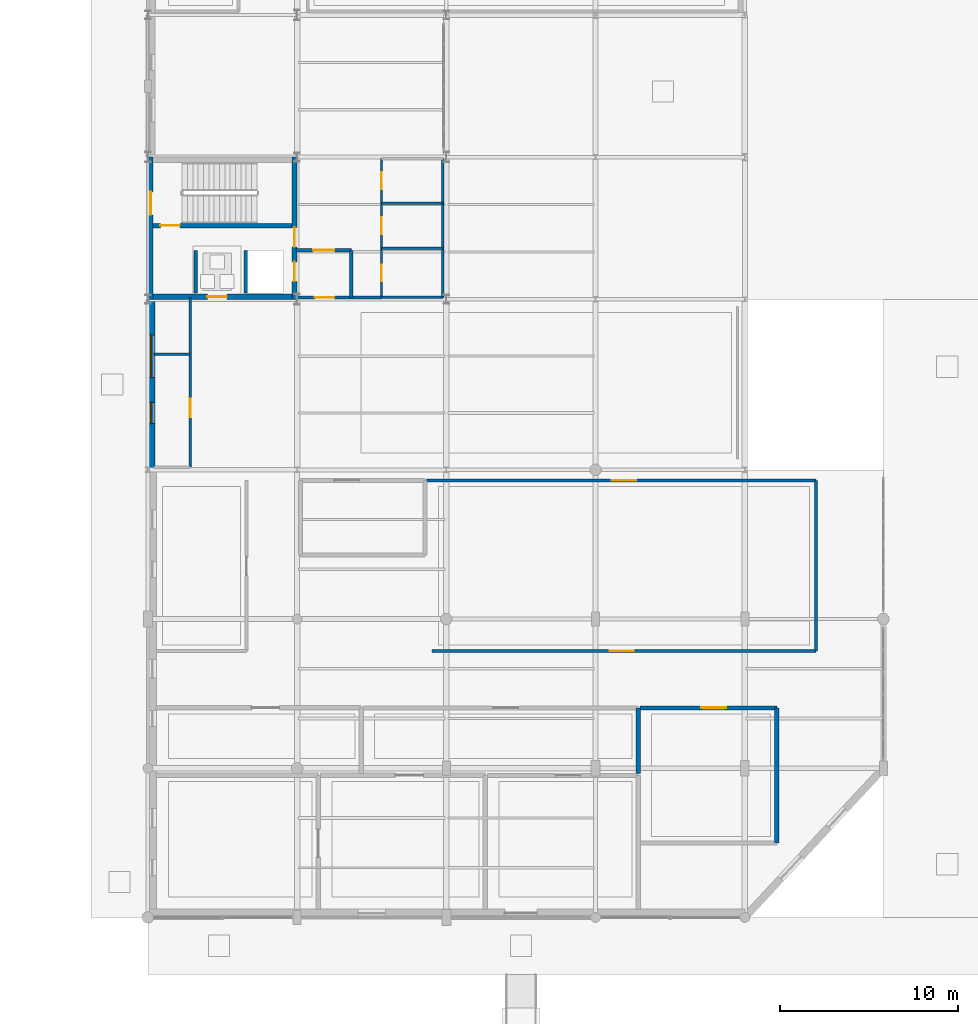
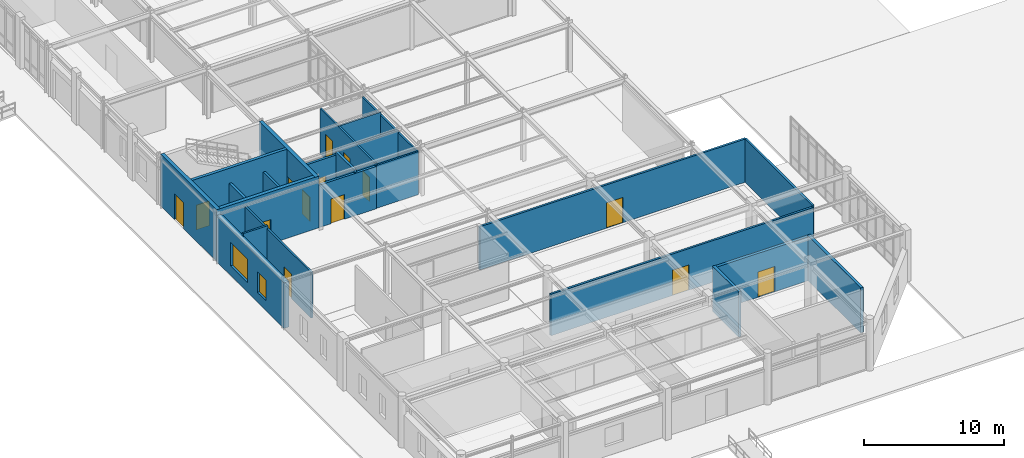
# One storey, part 79 of 101: 23 walls, 14 doors, 2 windows, 16 openings.
"""IFC4 building model written with IfcOpenShell, lengths in metres."""

from ifc_helpers import new_model, si_unit, derived_unit, direction, frame, frame_2d, origin, place, context, subcontext, project, spatial, rectangle, extrude, material, layer, layer_set, type_object, element, fill, save


model = new_model("IFC4")

# Units and contexts
model_context = context("Model", 3, precision=1e-05, world=origin(), true_north=direction((0.0, 1.0)))
body_context = subcontext(model_context, "Body", "Model", "MODEL_VIEW")
ifc_project = project(units=[si_unit("LENGTHUNIT", "METRE"), si_unit("AREAUNIT", "SQUARE_METRE"), si_unit("VOLUMEUNIT", "CUBIC_METRE"), si_unit("PLANEANGLEUNIT", "RADIAN"), si_unit("MASSUNIT", "GRAM", prefix="KILO"), derived_unit("THERMALTRANSMITTANCEUNIT", [(si_unit("POWERUNIT", "WATT"), 1), (si_unit("AREAUNIT", "SQUARE_METRE"), -1), (si_unit("THERMODYNAMICTEMPERATUREUNIT", "KELVIN"), -1)])], contexts=[model_context])

# Site, building, storey
site_placement = place(None, origin())
site = spatial("IfcSite", under=ifc_project, at=site_placement, CompositionType="ELEMENT")
building_placement = place(site_placement, origin())
building = spatial("IfcBuilding", under=site, at=building_placement, Name="Yasenodar Specialist Clinic", CompositionType="ELEMENT")
storey_placement = place(building_placement, origin())
storey = spatial("IfcBuildingStorey", under=building, at=storey_placement, Name="L00", CompositionType="ELEMENT", Elevation=0.0)

# Wall, openings, windows
ifc_material_1 = material(Name="Kapustianske Red Granite Ashlar Rainscreen", Category="masonry")
ifc_layer_1 = layer(ifc_material_1, 0.419921875)
ifc_layer_set_1 = layer_set([ifc_layer_1], Name="Kapustianske Red Granite Ashlar Rainscreen")
wall_type_1 = type_object("IfcWallType", Name="EW-GRAN-420", PredefinedType="SOLIDWALL", material=ifc_layer_set_1)
wall_1_placement = place(storey_placement, frame((0.199951171875, 25.199951171875, 0.0), z_axis=(0.0, 0.0, 1.0), x_axis=(0.0, 1.0, 0.0)))
wall_1 = element("IfcWall", 1, at=wall_1_placement, inside=storey, type_object=wall_type_1, Name="L00 Exterior Facade Wall 0080", PredefinedType="SOLIDWALL", context=body_context, shape_type="SweptSolid", body=[
    extrude(rectangle(XDim=9.60009765625, YDim=0.419921875, at=frame_2d((4.800048828125, 0.0))), origin(), (0.0, 0.0, 1.0), 3.97802734375),
])
opening_1_placement = place(wall_1_placement, frame((2.60009765625, 0.0, 0.85009765625)))
opening_1 = element("IfcOpeningElement", 2, at=opening_1_placement, cuts=wall_1, Name="Opening W-01", PredefinedType="OPENING", context=body_context, shape_type="SweptSolid", body=[
    extrude(rectangle(XDim=1.199951171875, YDim=1.800048828125, at=frame_2d((0.60009765625, 0.89990234375))), frame((0.0, 0.219970703125, 0.0), z_axis=(0.0, -1.0, 0.0), x_axis=(1.0, 0.0, 0.0)), (0.0, 0.0, 1.0), 0.43994140625),
])
opening_2_placement = place(wall_1_placement, frame((5.199951171875, 0.0, 0.85009765625)))
opening_2 = element("IfcOpeningElement", 3, at=opening_2_placement, cuts=wall_1, Name="Opening W-08", PredefinedType="OPENING", context=body_context, shape_type="SweptSolid", body=[
    extrude(rectangle(XDim=2.39990234375, YDim=2.050048828125, at=frame_2d((1.199951171875, 1.02490234375))), frame((0.0, 0.219970703125, 0.0), z_axis=(0.0, -1.0, 0.0), x_axis=(1.0, 0.0, 0.0)), (0.0, 0.0, 1.0), 0.43994140625),
])
ifc_material_2 = material(Name="Triple Low-E Argon Glazing in Bronze Aluminium Frame", Category="aluminium")
window_type_1 = type_object("IfcWindowType", Name="WIN-EXT-01", PartitioningType="SINGLE_PANEL", PredefinedType="WINDOW", material=ifc_material_2)
window_1_placement = place(opening_1_placement, origin())
window_1 = element("IfcWindow", 4, at=window_1_placement, inside=storey, type_object=window_type_1, Name="L00 Triple-Glazed Reveal Window 0066", OverallHeight=1.800048828125, OverallWidth=1.199951171875, PartitioningType="SINGLE_PANEL", PredefinedType="WINDOW", context=body_context, shape_type="SweptSolid", body=[
    extrude(rectangle(XDim=1.199951171875, YDim=1.800048828125, at=frame_2d((0.60009765625, 0.89990234375))), frame((0.0, 0.030029296875, 0.0), z_axis=(0.0, -1.0, 0.0), x_axis=(1.0, 0.0, 0.0)), (0.0, 0.0, 1.0), 0.06005859375),
])
fill(opening_1, window_1)
window_type_2 = type_object("IfcWindowType", Name="WIN-EXT-08", PartitioningType="SINGLE_PANEL", PredefinedType="WINDOW", material=ifc_material_2)
window_2_placement = place(opening_2_placement, origin())
window_2 = element("IfcWindow", 5, at=window_2_placement, inside=storey, type_object=window_type_2, Name="L00 Triple-Glazed Reveal Window 0067", OverallHeight=2.050048828125, OverallWidth=2.39990234375, PartitioningType="SINGLE_PANEL", PredefinedType="WINDOW", context=body_context, shape_type="SweptSolid", body=[
    extrude(rectangle(XDim=2.39990234375, YDim=2.050048828125, at=frame_2d((1.199951171875, 1.02490234375))), frame((0.0, 0.030029296875, 0.0), z_axis=(0.0, -1.0, 0.0), x_axis=(1.0, 0.0, 0.0)), (0.0, 0.0, 1.0), 0.06005859375),
])
fill(opening_2, window_2)

# Wall, opening, door
ifc_material_3 = material(Name="Outpatient Examination Partition")
ifc_layer_2 = layer(ifc_material_3, 0.14990234375)
ifc_layer_set_2 = layer_set([ifc_layer_2], Name="Outpatient Examination Partition")
wall_type_2 = type_object("IfcWallType", Name="IW-CONS-150", PredefinedType="PARTITIONING", material=ifc_layer_set_2)
wall_2_placement = place(storey_placement, frame((2.3798828125, 25.35009765625, 0.0), z_axis=(0.0, 0.0, 1.0), x_axis=(0.0, 1.0, 0.0)))
wall_2 = element("IfcWall", 6, at=wall_2_placement, inside=storey, type_object=wall_type_2, Name="L00 Phlebotomy Suite East Partition", PredefinedType="PARTITIONING", context=body_context, shape_type="SweptSolid", body=[
    extrude(rectangle(XDim=9.5498046875, YDim=0.14990234375, at=frame_2d((4.77490234375, 0.0))), origin(), (0.0, 0.0, 1.0), 3.97802734375),
])
opening_3_placement = place(wall_2_placement, frame((2.800048828125, 0.0, 0.0)))
opening_3 = element("IfcOpeningElement", 7, at=opening_3_placement, cuts=wall_2, Name="Opening D-12", PredefinedType="OPENING", context=body_context, shape_type="SweptSolid", body=[
    extrude(rectangle(XDim=1.050048828125, YDim=2.14990234375, at=frame_2d((0.52490234375, 1.074951171875))), frame((0.0, 0.0849609375, 0.0), z_axis=(0.0, -1.0, 0.0), x_axis=(1.0, 0.0, 0.0)), (0.0, 0.0, 1.0), 0.169921875),
])
ifc_material_4 = material(Name="Powder-Coated Steel and Acoustic Laminate Leaf", Category="steel")
door_type_1 = type_object("IfcDoorType", Name="DR-CLIN-105", OperationType="NOTDEFINED", PredefinedType="DOOR", material=ifc_material_4)
door_1_placement = place(opening_3_placement, origin())
door_1 = element("IfcDoor", 8, at=door_1_placement, inside=storey, type_object=door_type_1, Name="L00 Phlebotomy and Specimen Collection Suite Door", OperationType="SINGLE_SWING_RIGHT", OverallHeight=2.14990234375, OverallWidth=1.050048828125, PredefinedType="DOOR", context=body_context, shape_type="SweptSolid", body=[
    extrude(rectangle(XDim=1.050048828125, YDim=2.14990234375, at=frame_2d((0.52490234375, 1.074951171875))), frame((0.0, 0.02490234375, 0.0), z_axis=(0.0, -1.0, 0.0), x_axis=(1.0, 0.0, 0.0)), (0.0, 0.0, 1.0), 0.050048828125),
])
fill(opening_3, door_1)

# Wall
wall_3_placement = place(storey_placement, frame((0.35009765625, 31.699951171875, 0.0), z_axis=(0.0, 0.0, 1.0), x_axis=(1.0, 0.0, 0.0)))
element("IfcWall", 9, at=wall_3_placement, inside=storey, type_object=wall_type_2, Name="L00 Phlebotomy Suite North Partition", PredefinedType="PARTITIONING", context=body_context, shape_type="SweptSolid", body=[
    extrude(rectangle(XDim=2.02978515625, YDim=0.14990234375, at=frame_2d((1.014892578125, 0.0))), origin(), (0.0, 0.0, 1.0), 4.22998046875),
])

# Wall, opening, door
ifc_material_5 = material(Name="Cleanroom Laboratory Partition")
ifc_layer_3 = layer(ifc_material_5, 0.169921875)
ifc_layer_set_3 = layer_set([ifc_layer_3], Name="Cleanroom Laboratory Partition")
wall_type_3 = type_object("IfcWallType", Name="IW-LAB-170", PredefinedType="PARTITIONING", material=ifc_layer_set_3)
wall_4_placement = place(storey_placement, frame((37.60009765625, 15.0, 0.0), z_axis=(0.0, 0.0, 1.0), x_axis=(-1.0, 0.0, 0.0)))
wall_4 = element("IfcWall", 10, at=wall_4_placement, inside=storey, type_object=wall_type_3, Name="L00 Radiology Patient Reception and Sub-Waiting Partition", PredefinedType="PARTITIONING", context=body_context, shape_type="SweptSolid", body=[
    extrude(rectangle(XDim=21.60009765625, YDim=0.169921875, at=frame_2d((10.800048828125, 0.0))), origin(), (0.0, 0.0, 1.0), 3.613037109375),
])
opening_4_placement = place(wall_4_placement, frame((10.25, 0.0, 0.0)))
opening_4 = element("IfcOpeningElement", 11, at=opening_4_placement, cuts=wall_4, Name="Opening D-11", PredefinedType="OPENING", context=body_context, shape_type="SweptSolid", body=[
    extrude(rectangle(XDim=1.360107421875, YDim=2.199951171875, at=frame_2d((0.68017578125, 1.10009765625))), frame((0.0, 0.094970703125, 0.0), z_axis=(0.0, -1.0, 0.0), x_axis=(1.0, 0.0, 0.0)), (0.0, 0.0, 1.0), 0.18994140625),
])
door_type_2 = type_object("IfcDoorType", Name="DR-PLT-136", OperationType="NOTDEFINED", PredefinedType="DOOR", material=ifc_material_4)
door_2_placement = place(opening_4_placement, origin())
door_2 = element("IfcDoor", 12, at=door_2_placement, inside=storey, type_object=door_type_2, Name="L00 Radiology Patient Reception and Sub-Waiting Door", OperationType="SINGLE_SWING_RIGHT", OverallHeight=2.199951171875, OverallWidth=1.360107421875, PredefinedType="DOOR", context=body_context, shape_type="SweptSolid", body=[
    extrude(rectangle(XDim=1.360107421875, YDim=2.199951171875, at=frame_2d((0.68017578125, 1.10009765625))), frame((0.0, 0.02490234375, 0.0), z_axis=(0.0, -1.0, 0.0), x_axis=(1.0, 0.0, 0.0)), (0.0, 0.0, 1.0), 0.050048828125),
])
fill(opening_4, door_2)

wall_5_placement = place(storey_placement, frame((15.695068359375, 24.60009765625, 0.0), z_axis=(0.0, 0.0, 1.0), x_axis=(1.0, 0.0, 0.0)))
wall_5 = element("IfcWall", 13, at=wall_5_placement, inside=storey, type_object=wall_type_3, Name="L00 Radiology Patient Reception and Sub-Waiting Partition", PredefinedType="PARTITIONING", context=body_context, shape_type="SweptSolid", body=[
    extrude(rectangle(XDim=21.905029296875, YDim=0.169921875, at=frame_2d((10.95263671875, 0.0))), origin(), (0.0, 0.0, 1.0), 3.762939453125),
])
opening_5_placement = place(wall_5_placement, frame((10.425048828125, 0.0, 0.0)))
opening_5 = element("IfcOpeningElement", 14, at=opening_5_placement, cuts=wall_5, Name="Opening D-11", PredefinedType="OPENING", context=body_context, shape_type="SweptSolid", body=[
    extrude(rectangle(XDim=1.360107421875, YDim=2.199951171875, at=frame_2d((0.68017578125, 1.10009765625))), frame((0.0, 0.094970703125, 0.0), z_axis=(0.0, -1.0, 0.0), x_axis=(1.0, 0.0, 0.0)), (0.0, 0.0, 1.0), 0.18994140625),
])
door_3_placement = place(opening_5_placement, origin())
door_3 = element("IfcDoor", 15, at=door_3_placement, inside=storey, type_object=door_type_2, Name="L00 Primary Care Outpatient Consulting Suite Door", OperationType="SINGLE_SWING_LEFT", OverallHeight=2.199951171875, OverallWidth=1.360107421875, PredefinedType="DOOR", context=body_context, shape_type="SweptSolid", body=[
    extrude(rectangle(XDim=1.360107421875, YDim=2.199951171875, at=frame_2d((0.68017578125, 1.10009765625))), frame((0.0, 0.02490234375, 0.0), z_axis=(0.0, -1.0, 0.0), x_axis=(1.0, 0.0, 0.0)), (0.0, 0.0, 1.0), 0.050048828125),
])
fill(opening_5, door_3)

# Wall
wall_6_placement = place(storey_placement, frame((37.60009765625, 24.60009765625, 0.0), z_axis=(0.0, 0.0, 1.0), x_axis=(0.0, -1.0, 0.0)))
element("IfcWall", 16, at=wall_6_placement, inside=storey, type_object=wall_type_3, Name="L00 Radiology Patient Reception and Sub-Waiting Partition", PredefinedType="PARTITIONING", context=body_context, shape_type="SweptSolid", body=[
    extrude(rectangle(XDim=9.60009765625, YDim=0.169921875, at=frame_2d((4.800048828125, 0.0))), origin(), (0.0, 0.0, 1.0), 3.762939453125),
])

# Wall, opening, door
ifc_material_6 = material(Name="Shielded CT Control Partition")
ifc_layer_4 = layer(ifc_material_6, 0.22998046875)
ifc_layer_set_4 = layer_set([ifc_layer_4], Name="Shielded CT Control Partition")
wall_type_4 = type_object("IfcWallType", Name="IW-LEAD-230", PredefinedType="PARTITIONING", material=ifc_layer_set_4)
wall_7_placement = place(storey_placement, frame((27.695068359375, 11.800048828125, 0.0), z_axis=(0.0, 0.0, 1.0), x_axis=(1.0, 0.0, 0.0)))
wall_7 = element("IfcWall", 17, at=wall_7_placement, inside=storey, type_object=wall_type_4, Name="L00 CT Scanner Suite 02 Partition", PredefinedType="PARTITIONING", context=body_context, shape_type="SweptSolid", body=[
    extrude(rectangle(XDim=7.704833984375, YDim=0.22998046875, at=frame_2d((3.8525390625, 0.0))), origin(), (0.0, 0.0, 1.0), 3.81298828125),
])
opening_6_placement = place(wall_7_placement, frame((3.455078125, 0.0, 0.0)))
opening_6 = element("IfcOpeningElement", 18, at=opening_6_placement, cuts=wall_7, Name="Opening XD-01", PredefinedType="OPENING", context=body_context, shape_type="SweptSolid", body=[
    extrude(rectangle(XDim=1.39990234375, YDim=2.199951171875, at=frame_2d((0.699951171875, 1.10009765625))), frame((0.0, 0.125, 0.0), z_axis=(0.0, -1.0, 0.0), x_axis=(1.0, 0.0, 0.0)), (0.0, 0.0, 1.0), 0.25),
])
ifc_material_7 = material(Name="Fire-Rated Insulated Steel Door", Category="steel")
door_type_3 = type_object("IfcDoorType", Name="DR-LEAD-140", OperationType="NOTDEFINED", PredefinedType="DOOR", material=ifc_material_7)
door_4_placement = place(opening_6_placement, origin())
door_4 = element("IfcDoor", 19, at=door_4_placement, inside=storey, type_object=door_type_3, Name="L00 CT Scanner Suite 02 Door", OperationType="SINGLE_SWING_RIGHT", OverallHeight=2.199951171875, OverallWidth=1.39990234375, PredefinedType="DOOR", context=body_context, shape_type="SweptSolid", body=[
    extrude(rectangle(XDim=1.39990234375, YDim=2.199951171875, at=frame_2d((0.699951171875, 1.10009765625))), frame((0.0, 0.02490234375, 0.0), z_axis=(0.0, -1.0, 0.0), x_axis=(1.0, 0.0, 0.0)), (0.0, 0.0, 1.0), 0.050048828125),
])
fill(opening_6, door_4)

# Walls
wall_8_placement = place(storey_placement, frame((35.39990234375, 11.800048828125, 0.0), z_axis=(0.0, 0.0, 1.0), x_axis=(0.0, -1.0, 0.0)))
element("IfcWall", 20, at=wall_8_placement, inside=storey, type_object=wall_type_4, Name="L00 CT Scanner Suite 02 Partition", PredefinedType="PARTITIONING", context=body_context, shape_type="SweptSolid", body=[
    extrude(rectangle(XDim=7.60009765625, YDim=0.22998046875, at=frame_2d((3.800048828125, 0.0))), origin(), (0.0, 0.0, 1.0), 3.9130859375),
])
wall_9_placement = place(storey_placement, frame((27.60009765625, 11.800048828125, 0.0), z_axis=(0.0, 0.0, 1.0), x_axis=(0.0, -1.0, 0.0)))
element("IfcWall", 21, at=wall_9_placement, inside=storey, type_object=wall_type_4, Name="L00 CT Control and Patient Changing Room Partition", PredefinedType="PARTITIONING", context=body_context, shape_type="SweptSolid", body=[
    extrude(rectangle(XDim=3.705078125, YDim=0.22998046875, at=frame_2d((1.8525390625, 0.0))), origin(), (0.0, 0.0, 1.0), 3.943115234375),
])

# Wall, opening, door
ifc_material_8 = material(Name="Fire-Rated Gypsum and Mineral-Wool Wall")
ifc_layer_5 = layer(ifc_material_8, 0.195068359375)
ifc_layer_set_5 = layer_set([ifc_layer_5], Name="Fire-Rated Gypsum and Mineral-Wool Wall")
wall_type_5 = type_object("IfcWallType", Name="IW-LOBBY-195", PredefinedType="PARTITIONING", material=ifc_layer_set_5)
wall_10_placement = place(storey_placement, frame((8.35009765625, 37.550048828125, 0.0), z_axis=(0.0, 0.0, 1.0), x_axis=(1.0, 0.0, 0.0)))
wall_10 = element("IfcWall", 22, at=wall_10_placement, inside=storey, type_object=wall_type_5, Name="L00 C1 Passenger Lift Lobby North Wall", PredefinedType="PARTITIONING", context=body_context, shape_type="SweptSolid", body=[
    extrude(rectangle(XDim=3.099853515625, YDim=0.195068359375, at=frame_2d((1.5498046875, 0.0))), origin(), (0.0, 0.0, 1.0), 3.677978515625),
])
opening_7_placement = place(wall_10_placement, frame((0.949951171875, 0.0, 0.0)))
opening_7 = element("IfcOpeningElement", 23, at=opening_7_placement, cuts=wall_10, Name="Opening FD-02", PredefinedType="OPENING", context=body_context, shape_type="SweptSolid", body=[
    extrude(rectangle(XDim=1.199951171875, YDim=2.14990234375, at=frame_2d((0.60009765625, 1.074951171875))), frame((0.0, 0.107421875, 0.0), z_axis=(0.0, -1.0, 0.0), x_axis=(1.0, 0.0, 0.0)), (0.0, 0.0, 1.0), 0.215087890625),
])
door_type_4 = type_object("IfcDoorType", Name="DR-FD-120", OperationType="NOTDEFINED", PredefinedType="DOOR", material=ifc_material_7)
door_5_placement = place(opening_7_placement, origin())
door_5 = element("IfcDoor", 24, at=door_5_placement, inside=storey, type_object=door_type_4, Name="L00 C1 Passenger Lift Lobby Door", OperationType="SINGLE_SWING_RIGHT", OverallHeight=2.14990234375, OverallWidth=1.199951171875, PredefinedType="DOOR", context=body_context, shape_type="SweptSolid", body=[
    extrude(rectangle(XDim=1.199951171875, YDim=2.14990234375, at=frame_2d((0.60009765625, 1.074951171875))), frame((0.0, 0.02490234375, 0.0), z_axis=(0.0, -1.0, 0.0), x_axis=(1.0, 0.0, 0.0)), (0.0, 0.0, 1.0), 0.050048828125),
])
fill(opening_7, door_5)

# Wall
wall_11_placement = place(storey_placement, frame((11.449951171875, 34.89990234375, 0.0), z_axis=(0.0, 0.0, 1.0), x_axis=(0.0, 1.0, 0.0)))
element("IfcWall", 25, at=wall_11_placement, inside=storey, type_object=wall_type_5, Name="L00 C1 Passenger Lift Lobby East Wall", PredefinedType="PARTITIONING", context=body_context, shape_type="SweptSolid", body=[
    extrude(rectangle(XDim=2.650146484375, YDim=0.195068359375, at=frame_2d((1.3251953125, 0.0))), origin(), (0.0, 0.0, 1.0), 3.927978515625),
])

# Wall, opening, door
wall_12_placement = place(storey_placement, frame((8.35009765625, 34.89990234375, 0.0), z_axis=(0.0, 0.0, 1.0), x_axis=(1.0, 0.0, 0.0)))
wall_12 = element("IfcWall", 26, at=wall_12_placement, inside=storey, type_object=wall_type_5, Name="L00 C1 Passenger Lift Lobby South Wall", PredefinedType="PARTITIONING", context=body_context, shape_type="SweptSolid", body=[
    extrude(rectangle(XDim=4.7998046875, YDim=0.195068359375, at=frame_2d((2.39990234375, 0.0))), origin(), (0.0, 0.0, 1.0), 3.677978515625),
])
opening_8_placement = place(wall_12_placement, frame((1.050048828125, 0.0, 0.0)))
opening_8 = element("IfcOpeningElement", 27, at=opening_8_placement, cuts=wall_12, Name="Opening FD-01", PredefinedType="OPENING", context=body_context, shape_type="SweptSolid", body=[
    extrude(rectangle(XDim=1.10009765625, YDim=2.14990234375, at=frame_2d((0.550048828125, 1.074951171875))), frame((0.0, 0.107421875, 0.0), z_axis=(0.0, -1.0, 0.0), x_axis=(1.0, 0.0, 0.0)), (0.0, 0.0, 1.0), 0.215087890625),
])
door_type_5 = type_object("IfcDoorType", Name="DR-FD-110", OperationType="NOTDEFINED", PredefinedType="DOOR", material=ifc_material_7)
door_6_placement = place(opening_8_placement, origin())
door_6 = element("IfcDoor", 28, at=door_6_placement, inside=storey, type_object=door_type_5, Name="L00 C1 South Spine Door", OperationType="SINGLE_SWING_LEFT", OverallHeight=2.14990234375, OverallWidth=1.10009765625, PredefinedType="DOOR", context=body_context, shape_type="SweptSolid", body=[
    extrude(rectangle(XDim=1.10009765625, YDim=2.14990234375, at=frame_2d((0.550048828125, 1.074951171875))), frame((0.0, 0.02490234375, 0.0), z_axis=(0.0, -1.0, 0.0), x_axis=(1.0, 0.0, 0.0)), (0.0, 0.0, 1.0), 0.050048828125),
])
fill(opening_8, door_6)

# Walls
ifc_material_9 = material(Name="Aerated Concrete Blockwork Fire Shaft Wall", Category="masonry")
ifc_layer_6 = layer(ifc_material_9, 0.205078125)
ifc_layer_set_6 = layer_set([ifc_layer_6], Name="Aerated Concrete Blockwork Fire Shaft Wall")
wall_type_6 = type_object("IfcWallType", Name="IW-SHAFT-205", PredefinedType="PARTITIONING", material=ifc_layer_set_6)
for number, where, z_axis, x_axis, name in (
    (29, (5.5, 35.14990234375, 0.0), (0.0, 0.0, 1.0), (0.0, 1.0, 0.0), "L00 LF-01 Lift Shaft Side Wall"),
    (30, (2.699951171875, 35.14990234375, 0.0), (0.0, 0.0, 1.0), (0.0, 1.0, 0.0), "L00 LF-05 Lift Shaft Side Wall"),
):
    element("IfcWall", number, at=place(storey_placement, frame(where, z_axis=z_axis, x_axis=x_axis)), inside=storey, type_object=wall_type_6, Name=name, PredefinedType="PARTITIONING", context=body_context, shape_type="SweptSolid", body=[
        extrude(rectangle(XDim=2.400146484375, YDim=0.205078125, at=frame_2d((1.2001953125, 0.0))), origin(), (0.0, 0.0, 1.0), 4.22998046875),
    ])

# Wall, openings, doors
ifc_material_10 = material(Name="Moisture-Resistant Sanitary Partition")
ifc_layer_7 = layer(ifc_material_10, 0.139892578125)
ifc_layer_set_7 = layer_set([ifc_layer_7], Name="Moisture-Resistant Sanitary Partition")
wall_type_7 = type_object("IfcWallType", Name="IW-WET-140", PredefinedType="PARTITIONING", material=ifc_layer_set_7)
wall_13_placement = place(storey_placement, frame((13.14990234375, 34.89990234375, 0.0), z_axis=(0.0, 0.0, 1.0), x_axis=(0.0, 1.0, 0.0)))
wall_13 = element("IfcWall", 31, at=wall_13_placement, inside=storey, type_object=wall_type_7, Name="L00 West Sanitary Block Corridor Wall", PredefinedType="PARTITIONING", context=body_context, shape_type="SweptSolid", body=[
    extrude(rectangle(XDim=7.820068359375, YDim=0.139892578125, at=frame_2d((3.91015625, 0.0))), origin(), (0.0, 0.0, 1.0), 3.927978515625),
])
opening_9_placement = place(wall_13_placement, frame((0.89990234375, 0.0, 0.0)))
opening_9 = element("IfcOpeningElement", 32, at=opening_9_placement, cuts=wall_13, Name="Opening D-01", PredefinedType="OPENING", context=body_context, shape_type="SweptSolid", body=[
    extrude(rectangle(XDim=0.949951171875, YDim=2.1201171875, at=frame_2d((0.47509765625, 1.06005859375))), frame((0.0, 0.080078125, 0.0), z_axis=(0.0, -1.0, 0.0), x_axis=(1.0, 0.0, 0.0)), (0.0, 0.0, 1.0), 0.159912109375),
])
opening_10_placement = place(wall_13_placement, frame((3.550048828125, 0.0, 0.0)))
opening_10 = element("IfcOpeningElement", 33, at=opening_10_placement, cuts=wall_13, Name="Opening D-02", PredefinedType="OPENING", context=body_context, shape_type="SweptSolid", body=[
    extrude(rectangle(XDim=0.97998046875, YDim=2.139892578125, at=frame_2d((0.489990234375, 1.06982421875))), frame((0.0, 0.080078125, 0.0), z_axis=(0.0, -1.0, 0.0), x_axis=(1.0, 0.0, 0.0)), (0.0, 0.0, 1.0), 0.159912109375),
])
opening_11_placement = place(wall_13_placement, frame((6.080078125, 0.0, 0.0)))
opening_11 = element("IfcOpeningElement", 34, at=opening_11_placement, cuts=wall_13, Name="Opening D-02", PredefinedType="OPENING", context=body_context, shape_type="SweptSolid", body=[
    extrude(rectangle(XDim=0.97998046875, YDim=2.139892578125, at=frame_2d((0.489990234375, 1.06982421875))), frame((0.0, 0.080078125, 0.0), z_axis=(0.0, -1.0, 0.0), x_axis=(1.0, 0.0, 0.0)), (0.0, 0.0, 1.0), 0.159912109375),
])
door_type_6 = type_object("IfcDoorType", Name="DR-CLN-095", OperationType="NOTDEFINED", PredefinedType="DOOR", material=ifc_material_4)
door_7_placement = place(opening_9_placement, origin())
door_7 = element("IfcDoor", 35, at=door_7_placement, inside=storey, type_object=door_type_6, Name="L00 Accessible WC Door", OperationType="SINGLE_SWING_RIGHT", OverallHeight=2.1201171875, OverallWidth=0.949951171875, PredefinedType="DOOR", context=body_context, shape_type="SweptSolid", body=[
    extrude(rectangle(XDim=0.949951171875, YDim=2.1201171875, at=frame_2d((0.47509765625, 1.06005859375))), frame((0.0, 0.02490234375, 0.0), z_axis=(0.0, -1.0, 0.0), x_axis=(1.0, 0.0, 0.0)), (0.0, 0.0, 1.0), 0.050048828125),
])
fill(opening_9, door_7)
door_type_7 = type_object("IfcDoorType", Name="DR-CLN-098", OperationType="NOTDEFINED", PredefinedType="DOOR", material=ifc_material_4)
door_8_placement = place(opening_10_placement, origin())
door_8 = element("IfcDoor", 36, at=door_8_placement, inside=storey, type_object=door_type_7, Name="L00 Patient Washroom WC Door", OperationType="SINGLE_SWING_LEFT", OverallHeight=2.139892578125, OverallWidth=0.97998046875, PredefinedType="DOOR", context=body_context, shape_type="SweptSolid", body=[
    extrude(rectangle(XDim=0.97998046875, YDim=2.139892578125, at=frame_2d((0.489990234375, 1.06982421875))), frame((0.0, 0.02490234375, 0.0), z_axis=(0.0, -1.0, 0.0), x_axis=(1.0, 0.0, 0.0)), (0.0, 0.0, 1.0), 0.050048828125),
])
fill(opening_10, door_8)
door_9_placement = place(opening_11_placement, origin())
door_9 = element("IfcDoor", 37, at=door_9_placement, inside=storey, type_object=door_type_7, Name="L00 Staff Washroom WC Door", OperationType="SINGLE_SWING_RIGHT", OverallHeight=2.139892578125, OverallWidth=0.97998046875, PredefinedType="DOOR", context=body_context, shape_type="SweptSolid", body=[
    extrude(rectangle(XDim=0.97998046875, YDim=2.139892578125, at=frame_2d((0.489990234375, 1.06982421875))), frame((0.0, 0.02490234375, 0.0), z_axis=(0.0, -1.0, 0.0), x_axis=(1.0, 0.0, 0.0)), (0.0, 0.0, 1.0), 0.050048828125),
])
fill(opening_11, door_9)

# Walls
wall_14_placement = place(storey_placement, frame((16.60009765625, 34.89990234375, 0.0), z_axis=(0.0, 0.0, 1.0), x_axis=(0.0, 1.0, 0.0)))
element("IfcWall", 38, at=wall_14_placement, inside=storey, type_object=wall_type_7, Name="L00 West Sanitary Block East Wall", PredefinedType="PARTITIONING", context=body_context, shape_type="SweptSolid", body=[
    extrude(rectangle(XDim=7.820068359375, YDim=0.139892578125, at=frame_2d((3.91015625, 0.0))), origin(), (0.0, 0.0, 1.0), 3.72802734375),
])
wall_15_placement = place(storey_placement, frame((13.14990234375, 34.89990234375, 0.0), z_axis=(0.0, 0.0, 1.0), x_axis=(1.0, 0.0, 0.0)))
element("IfcWall", 39, at=wall_15_placement, inside=storey, type_object=wall_type_7, Name="L00 West Sanitary Block South Wall", PredefinedType="PARTITIONING", context=body_context, shape_type="SweptSolid", body=[
    extrude(rectangle(XDim=3.4501953125, YDim=0.139892578125, at=frame_2d((1.72509765625, 0.0))), origin(), (0.0, 0.0, 1.0), 3.72802734375),
])
wall_16_placement = place(storey_placement, frame((13.14990234375, 37.659912109375, 0.0), z_axis=(0.0, 0.0, 1.0), x_axis=(1.0, 0.0, 0.0)))
element("IfcWall", 40, at=wall_16_placement, inside=storey, type_object=wall_type_7, Name="L00 West Accessible WC Divider Wall", PredefinedType="PARTITIONING", context=body_context, shape_type="SweptSolid", body=[
    extrude(rectangle(XDim=3.4501953125, YDim=0.139892578125, at=frame_2d((1.72509765625, 0.0))), origin(), (0.0, 0.0, 1.0), 3.927978515625),
])
wall_17_placement = place(storey_placement, frame((13.14990234375, 40.2099609375, 0.0), z_axis=(0.0, 0.0, 1.0), x_axis=(1.0, 0.0, 0.0)))
element("IfcWall", 41, at=wall_17_placement, inside=storey, type_object=wall_type_7, Name="L00 West Patient and Staff WC Divider Wall", PredefinedType="PARTITIONING", context=body_context, shape_type="SweptSolid", body=[
    extrude(rectangle(XDim=3.4501953125, YDim=0.139892578125, at=frame_2d((1.72509765625, 0.0))), origin(), (0.0, 0.0, 1.0), 3.947998046875),
])

# Wall, opening, door
ifc_material_11 = material(Name="Concrete C35/45", Category="concrete")
ifc_layer_8 = layer(ifc_material_11, 0.25)
ifc_layer_set_8 = layer_set([ifc_layer_8], Name="Concrete C35/45")
wall_type_8 = type_object("IfcWallType", Name="WL-CORE-250", PredefinedType="SHEAR", material=ifc_layer_set_8)
wall_18_placement = place(storey_placement, frame((0.300048828125, 38.949951171875, 0.0), z_axis=(0.0, 0.0, 1.0), x_axis=(1.0, 0.0, 0.0)))
wall_18 = element("IfcWall", 42, at=wall_18_placement, inside=storey, type_object=wall_type_8, Name="L00 Core C1 Central Spine Wall", PredefinedType="SHEAR", context=body_context, shape_type="SweptSolid", body=[
    extrude(rectangle(XDim=7.800048828125, YDim=0.25, at=frame_2d((3.89990234375, 0.0))), origin(), (0.0, 0.0, 1.0), 4.5),
])
opening_12_placement = place(wall_18_placement, frame((0.39990234375, 0.0, 0.0)))
opening_12 = element("IfcOpeningElement", 43, at=opening_12_placement, cuts=wall_18, Name="Opening FD-01", PredefinedType="OPENING", context=body_context, shape_type="SweptSolid", body=[
    extrude(rectangle(XDim=1.10009765625, YDim=2.14990234375, at=frame_2d((0.550048828125, 1.074951171875))), frame((0.0, 0.135009765625, 0.0), z_axis=(0.0, -1.0, 0.0), x_axis=(1.0, 0.0, 0.0)), (0.0, 0.0, 1.0), 0.27001953125),
])
door_10_placement = place(opening_12_placement, origin())
door_10 = element("IfcDoor", 44, at=door_10_placement, inside=storey, type_object=door_type_5, Name="L00 ST-01 Protected Stair Door", OperationType="SINGLE_SWING_RIGHT", OverallHeight=2.14990234375, OverallWidth=1.10009765625, PredefinedType="DOOR", context=body_context, shape_type="SweptSolid", body=[
    extrude(rectangle(XDim=1.10009765625, YDim=2.14990234375, at=frame_2d((0.550048828125, 1.074951171875))), frame((0.0, 0.02490234375, 0.0), z_axis=(0.0, -1.0, 0.0), x_axis=(1.0, 0.0, 0.0)), (0.0, 0.0, 1.0), 0.050048828125),
])
fill(opening_12, door_10)

ifc_layer_9 = layer(ifc_material_11, 0.300048828125)
ifc_layer_set_9 = layer_set([ifc_layer_9], Name="Concrete C35/45")
wall_type_9 = type_object("IfcWallType", Name="WL-CORE-300", PredefinedType="SHEAR", material=ifc_layer_set_9)
wall_19_placement = place(storey_placement, frame((0.0, 34.949951171875, 0.0), z_axis=(0.0, 0.0, 1.0), x_axis=(1.0, 0.0, 0.0)))
wall_19 = element("IfcWall", 45, at=wall_19_placement, inside=storey, type_object=wall_type_9, Name="L00 Core C1 South Shear Wall", PredefinedType="SHEAR", context=body_context, shape_type="SweptSolid", body=[
    extrude(rectangle(XDim=8.39990234375, YDim=0.300048828125, at=frame_2d((4.199951171875, 0.0))), origin(), (0.0, 0.0, 1.0), 4.5),
])
opening_13_placement = place(wall_19_placement, frame((3.35009765625, 0.0, 0.0)))
opening_13 = element("IfcOpeningElement", 46, at=opening_13_placement, cuts=wall_19, Name="Opening LD-03", PredefinedType="OPENING", context=body_context, shape_type="SweptSolid", body=[
    extrude(rectangle(XDim=1.10009765625, YDim=2.10009765625, at=frame_2d((0.550048828125, 1.050048828125))), frame((0.0, 0.16015625, 0.0), z_axis=(0.0, -1.0, 0.0), x_axis=(1.0, 0.0, 0.0)), (0.0, 0.0, 1.0), 0.320068359375),
])
door_type_8 = type_object("IfcDoorType", Name="DR-LD-110", OperationType="DOUBLE_DOOR_SLIDING", PredefinedType="DOOR", material=ifc_material_7)
door_11_placement = place(opening_13_placement, origin())
door_11 = element("IfcDoor", 47, at=door_11_placement, inside=storey, type_object=door_type_8, Name="L00 LF-05 Lift Landing Door", OperationType="DOUBLE_DOOR_SLIDING", OverallHeight=2.10009765625, OverallWidth=1.10009765625, PredefinedType="DOOR", context=body_context, shape_type="SweptSolid", body=[
    extrude(rectangle(XDim=1.10009765625, YDim=2.10009765625, at=frame_2d((0.550048828125, 1.050048828125))), frame((0.0, 0.02490234375, 0.0), z_axis=(0.0, -1.0, 0.0), x_axis=(1.0, 0.0, 0.0)), (0.0, 0.0, 1.0), 0.050048828125),
])
fill(opening_13, door_11)

wall_20_placement = place(storey_placement, frame((0.14990234375, 34.800048828125, 0.0), z_axis=(0.0, 0.0, 1.0), x_axis=(0.0, 1.0, 0.0)))
wall_20 = element("IfcWall", 48, at=wall_20_placement, inside=storey, type_object=wall_type_9, Name="L00 Core C1 West Shear Wall", PredefinedType="SHEAR", context=body_context, shape_type="SweptSolid", body=[
    extrude(rectangle(XDim=8.0, YDim=0.300048828125, at=frame_2d((4.0, 0.0))), origin(), (0.0, 0.0, 1.0), 4.5),
])
opening_14_placement = place(wall_20_placement, frame((4.75, 0.0, 0.0)))
opening_14 = element("IfcOpeningElement", 49, at=opening_14_placement, cuts=wall_20, Name="Opening EX-01", PredefinedType="OPENING", context=body_context, shape_type="SweptSolid", body=[
    extrude(rectangle(XDim=1.300048828125, YDim=2.25, at=frame_2d((0.64990234375, 1.125))), frame((0.0, 0.16015625, 0.0), z_axis=(0.0, -1.0, 0.0), x_axis=(1.0, 0.0, 0.0)), (0.0, 0.0, 1.0), 0.320068359375),
])
ifc_material_12 = material(Name="Thermally Broken Bronze Anodized Aluminium and Laminated Glass", Category="aluminium")
door_type_9 = type_object("IfcDoorType", Name="DR-EX-130", OperationType="NOTDEFINED", PredefinedType="DOOR", material=ifc_material_12)
door_12_placement = place(opening_14_placement, origin())
door_12 = element("IfcDoor", 50, at=door_12_placement, inside=storey, type_object=door_type_9, Name="L00 Stair ST-01 Direct Street Final Exit EX-01", OperationType="SINGLE_SWING_LEFT", OverallHeight=2.25, OverallWidth=1.300048828125, PredefinedType="DOOR", context=body_context, shape_type="SweptSolid", body=[
    extrude(rectangle(XDim=1.300048828125, YDim=2.25, at=frame_2d((0.64990234375, 1.125))), frame((0.0, 0.02490234375, 0.0), z_axis=(0.0, -1.0, 0.0), x_axis=(1.0, 0.0, 0.0)), (0.0, 0.0, 1.0), 0.050048828125),
])
fill(opening_14, door_12)

# Wall, openings, doors
wall_21_placement = place(storey_placement, frame((8.25, 34.800048828125, 0.0), z_axis=(0.0, 0.0, 1.0), x_axis=(0.0, 1.0, 0.0)))
wall_21 = element("IfcWall", 51, at=wall_21_placement, inside=storey, type_object=wall_type_9, Name="L00 Core C1 East Shear Wall", PredefinedType="SHEAR", context=body_context, shape_type="SweptSolid", body=[
    extrude(rectangle(XDim=8.0, YDim=0.300048828125, at=frame_2d((4.0, 0.0))), origin(), (0.0, 0.0, 1.0), 4.5),
])
opening_15_placement = place(wall_21_placement, frame((2.949951171875, 0.0, 0.0)))
opening_15 = element("IfcOpeningElement", 52, at=opening_15_placement, cuts=wall_21, Name="Opening FD-01", PredefinedType="OPENING", context=body_context, shape_type="SweptSolid", body=[
    extrude(rectangle(XDim=1.10009765625, YDim=2.14990234375, at=frame_2d((0.550048828125, 1.074951171875))), frame((0.0, 0.16015625, 0.0), z_axis=(0.0, -1.0, 0.0), x_axis=(1.0, 0.0, 0.0)), (0.0, 0.0, 1.0), 0.320068359375),
])
opening_16_placement = place(wall_21_placement, frame((1.0, 0.0, 0.0)))
opening_16 = element("IfcOpeningElement", 53, at=opening_16_placement, cuts=wall_21, Name="Opening LD-03", PredefinedType="OPENING", context=body_context, shape_type="SweptSolid", body=[
    extrude(rectangle(XDim=1.10009765625, YDim=2.10009765625, at=frame_2d((0.550048828125, 1.050048828125))), frame((0.0, 0.16015625, 0.0), z_axis=(0.0, -1.0, 0.0), x_axis=(1.0, 0.0, 0.0)), (0.0, 0.0, 1.0), 0.320068359375),
])
door_13_placement = place(opening_15_placement, origin())
door_13 = element("IfcDoor", 54, at=door_13_placement, inside=storey, type_object=door_type_5, Name="L00 Stair ST-01 Vestibule Door", OperationType="SINGLE_SWING_RIGHT", OverallHeight=2.14990234375, OverallWidth=1.10009765625, PredefinedType="DOOR", context=body_context, shape_type="SweptSolid", body=[
    extrude(rectangle(XDim=1.10009765625, YDim=2.14990234375, at=frame_2d((0.550048828125, 1.074951171875))), frame((0.0, 0.02490234375, 0.0), z_axis=(0.0, -1.0, 0.0), x_axis=(1.0, 0.0, 0.0)), (0.0, 0.0, 1.0), 0.050048828125),
])
fill(opening_15, door_13)
door_14_placement = place(opening_16_placement, origin())
door_14 = element("IfcDoor", 55, at=door_14_placement, inside=storey, type_object=door_type_8, Name="L00 LF-01 Lift Landing Door", OperationType="DOUBLE_DOOR_SLIDING", OverallHeight=2.10009765625, OverallWidth=1.10009765625, PredefinedType="DOOR", context=body_context, shape_type="SweptSolid", body=[
    extrude(rectangle(XDim=1.10009765625, YDim=2.10009765625, at=frame_2d((0.550048828125, 1.050048828125))), frame((0.0, 0.02490234375, 0.0), z_axis=(0.0, -1.0, 0.0), x_axis=(1.0, 0.0, 0.0)), (0.0, 0.0, 1.0), 0.050048828125),
])
fill(opening_16, door_14)

save(model, "model.ifc")
